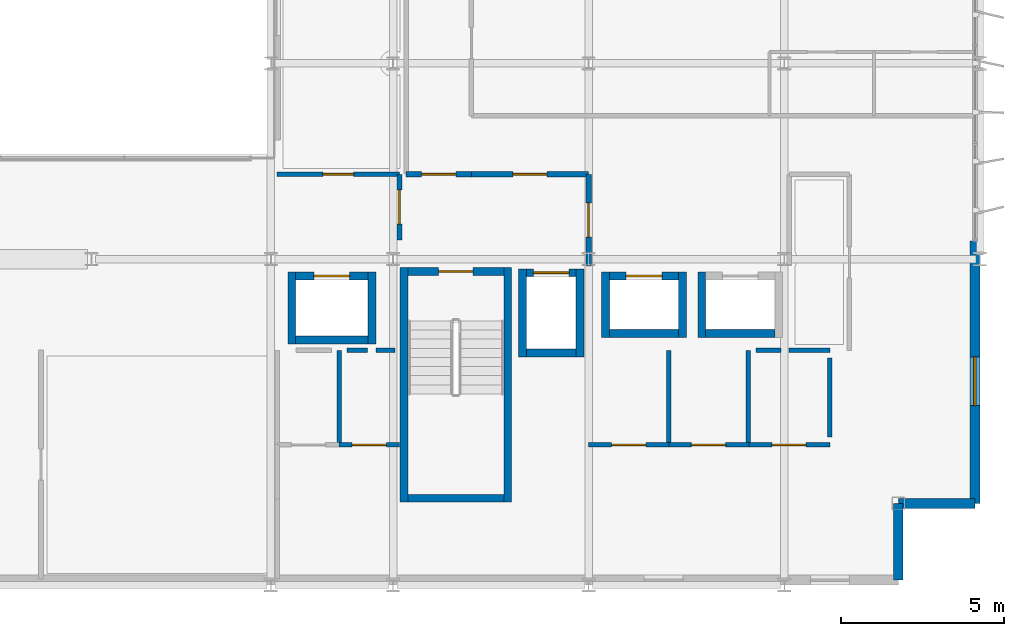
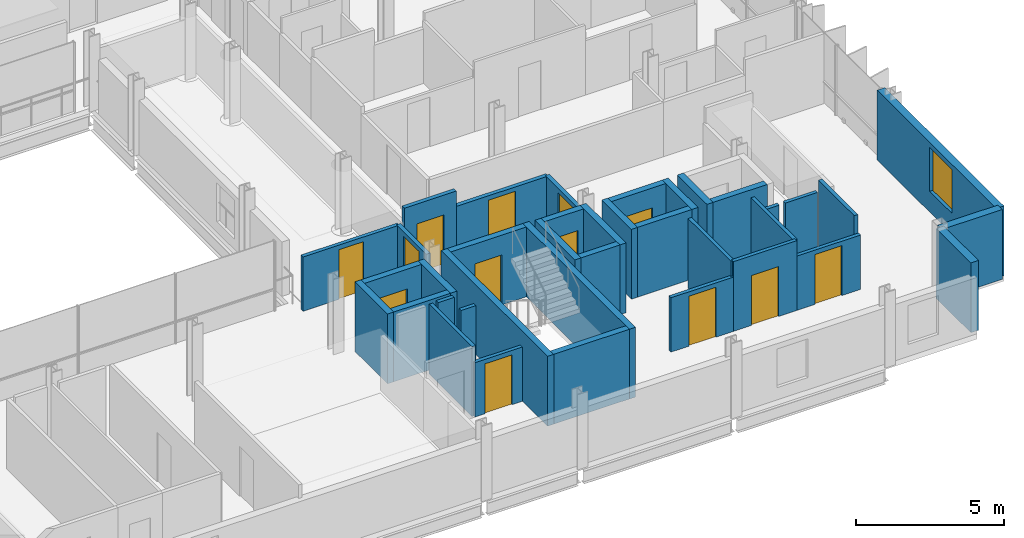
# One storey, part 32 of 40: 38 walls, 13 doors, 1 window, 14 openings.
"""IFC4 building model written with IfcOpenShell, lengths in metres."""

from ifc_helpers import new_model, si_unit, direction, frame, frame_2d, origin, place, context, subcontext, project, spatial, rectangle, extrude, material, layer, layer_set, type_object, element, fill, save


model = new_model("IFC4")

# Units and contexts
model_context = context("Model", 3, precision=1e-05, world=origin(), true_north=direction((0.0, 1.0)))
body_context = subcontext(model_context, "Body", "Model", "MODEL_VIEW")
ifc_project = project(units=[si_unit("LENGTHUNIT", "METRE"), si_unit("AREAUNIT", "SQUARE_METRE"), si_unit("VOLUMEUNIT", "CUBIC_METRE"), si_unit("PLANEANGLEUNIT", "RADIAN"), si_unit("MASSUNIT", "GRAM", prefix="KILO")], contexts=[model_context])

# Site, building, storey
site_placement = place(None, origin())
site = spatial("IfcSite", under=ifc_project, at=site_placement, CompositionType="ELEMENT")
building_placement = place(site_placement, origin())
building = spatial("IfcBuilding", under=site, at=building_placement, Name="Brevholm Reach", CompositionType="ELEMENT")
storey_placement = place(building_placement, frame((0.0, 0.0, 160.39990234375)))
storey = spatial("IfcBuildingStorey", under=building, at=storey_placement, Name="L48", CompositionType="ELEMENT", Elevation=160.39990234375)

# Walls
ifc_material_1 = material(Name="Concrete C45/55", Category="concrete")
ifc_layer_1 = layer(ifc_material_1, 0.239990234375)
ifc_layer_set_1 = layer_set([ifc_layer_1], Name="Concrete C45/55")
wall_type_1 = type_object("IfcWallType", Name="WAL-COR-240", PredefinedType="SHEAR", material=ifc_layer_set_1)
for number, where, z_axis, x_axis, name in (
    (1, (42.330078125, 2.5400390625, 0.0), (0.0, 0.0, 1.0), (0.0, 1.0, 0.0), "L48 Escape Stair ST-2 Core Wall W"),
    (2, (45.52001953125, 2.5400390625, 0.0), (0.0, 0.0, 1.0), (0.0, 1.0, 0.0), "L48 Escape Stair ST-2 Core Wall E"),
):
    element("IfcWall", number, at=place(storey_placement, frame(where, z_axis=z_axis, x_axis=x_axis)), inside=storey, type_object=wall_type_1, Name=name, PredefinedType="SHEAR", context=body_context, shape_type="SweptSolid", body=[
        extrude(rectangle(XDim=7.199951171875, YDim=0.239990234375, at=frame_2d((3.60009765625, 0.0))), origin(), (0.0, 0.0, 1.0), 2.880126953125),
    ])
wall_1_placement = place(storey_placement, frame((42.449951171875, 2.659912109375, 0.0), z_axis=(0.0, 0.0, 1.0), x_axis=(1.0, 0.0, 0.0)))
element("IfcWall", 3, at=wall_1_placement, inside=storey, type_object=wall_type_1, Name="L48 Escape Stair ST-2 Core Wall S", PredefinedType="SHEAR", context=body_context, shape_type="SweptSolid", body=[
    extrude(rectangle(XDim=2.949951171875, YDim=0.239990234375, at=frame_2d((1.47509765625, 0.0))), origin(), (0.0, 0.0, 1.0), 2.880126953125),
])

# Wall, opening, door
wall_2_placement = place(storey_placement, frame((45.39990234375, 9.6201171875, 0.0), z_axis=(0.0, 0.0, 1.0), x_axis=(-1.0, 0.0, 0.0)))
wall_2 = element("IfcWall", 4, at=wall_2_placement, inside=storey, type_object=wall_type_1, Name="L48 Escape Stair ST-2 Core Wall N", PredefinedType="SHEAR", context=body_context, shape_type="SweptSolid", body=[
    extrude(rectangle(XDim=2.949951171875, YDim=0.239990234375, at=frame_2d((1.47509765625, 0.0))), origin(), (0.0, 0.0, 1.0), 2.880126953125),
])
opening_1_placement = place(wall_2_placement, frame((0.949951171875, 0.0, 0.0)))
opening_1 = element("IfcOpeningElement", 5, at=opening_1_placement, cuts=wall_2, Name="Opening SD-ST-2", PredefinedType="OPENING", context=body_context, shape_type="SweptSolid", body=[
    extrude(rectangle(XDim=1.050048828125, YDim=2.06005859375, at=frame_2d((0.52490234375, 1.030029296875))), frame((0.0, 0.1298828125, 0.0), z_axis=(0.0, -1.0, 0.0), x_axis=(1.0, 0.0, 0.0)), (0.0, 0.0, 1.0), 0.260009765625),
])
ifc_material_2 = material(Name="Hardwood-Lipped Steel-Core Fire and Smoke Door", Category="steel")
door_type_1 = type_object("IfcDoorType", Name="DOR-INT-FD60S", OperationType="NOTDEFINED", PredefinedType="DOOR", material=ifc_material_2)
door_1_placement = place(opening_1_placement, origin())
door_1 = element("IfcDoor", 6, at=door_1_placement, inside=storey, type_object=door_type_1, Name="L48 Protected Stair ST-2 Lobby Door", OperationType="SINGLE_SWING_LEFT", OverallHeight=2.06005859375, OverallWidth=1.050048828125, PredefinedType="DOOR", context=body_context, shape_type="SweptSolid", body=[
    extrude(rectangle(XDim=1.050048828125, YDim=2.06005859375, at=frame_2d((0.52490234375, 1.030029296875))), frame((0.0, 0.02490234375, 0.0), z_axis=(0.0, -1.0, 0.0), x_axis=(1.0, 0.0, 0.0)), (0.0, 0.0, 1.0), 0.050048828125),
])
fill(opening_1, door_1)

# Walls
for number, where, z_axis, x_axis, name in (
    (7, (45.969970703125, 7.0, 0.0), (0.0, 0.0, 1.0), (0.0, 1.0, 0.0), "L48 Lift FFL-2 Shaft Wall W"),
    (8, (47.72998046875, 7.0, 0.0), (0.0, 0.0, 1.0), (0.0, 1.0, 0.0), "L48 Lift FFL-2 Shaft Wall E"),
):
    element("IfcWall", number, at=place(storey_placement, frame(where, z_axis=z_axis, x_axis=x_axis)), inside=storey, type_object=wall_type_1, Name=name, PredefinedType="SHEAR", context=body_context, shape_type="SweptSolid", body=[
        extrude(rectangle(XDim=2.699951171875, YDim=0.239990234375, at=frame_2d((1.35009765625, 0.0))), origin(), (0.0, 0.0, 1.0), 2.880126953125),
    ])
wall_3_placement = place(storey_placement, frame((46.090087890625, 7.1201171875, 0.0), z_axis=(0.0, 0.0, 1.0), x_axis=(1.0, 0.0, 0.0)))
element("IfcWall", 9, at=wall_3_placement, inside=storey, type_object=wall_type_1, Name="L48 Lift FFL-2 Shaft Wall S", PredefinedType="SHEAR", context=body_context, shape_type="SweptSolid", body=[
    extrude(rectangle(XDim=1.52001953125, YDim=0.239990234375, at=frame_2d((0.760009765625, 0.0))), origin(), (0.0, 0.0, 1.0), 2.880126953125),
])

# Wall, opening, door
wall_4_placement = place(storey_placement, frame((46.090087890625, 9.580078125, 0.0), z_axis=(0.0, 0.0, 1.0), x_axis=(1.0, 0.0, 0.0)))
wall_4 = element("IfcWall", 10, at=wall_4_placement, inside=storey, type_object=wall_type_1, Name="L48 Lift FFL-2 Shaft Wall N", PredefinedType="SHEAR", context=body_context, shape_type="SweptSolid", body=[
    extrude(rectangle(XDim=1.52001953125, YDim=0.239990234375, at=frame_2d((0.760009765625, 0.0))), origin(), (0.0, 0.0, 1.0), 2.880126953125),
])
opening_2_placement = place(wall_4_placement, frame((0.2099609375, 0.0, 0.0)))
opening_2 = element("IfcOpeningElement", 11, at=opening_2_placement, cuts=wall_4, Name="Opening LD-FFL-2", PredefinedType="OPENING", context=body_context, shape_type="SweptSolid", body=[
    extrude(rectangle(XDim=1.10009765625, YDim=2.06005859375, at=frame_2d((0.550048828125, 1.030029296875))), frame((0.0, 0.1298828125, 0.0), z_axis=(0.0, -1.0, 0.0), x_axis=(1.0, 0.0, 0.0)), (0.0, 0.0, 1.0), 0.260009765625),
])
ifc_material_3 = material(Name="Brushed Stainless Steel Fire-Rated Sliding Lift Door", Category="steel")
door_type_2 = type_object("IfcDoorType", Name="DOR-LFT-1100", OperationType="NOTDEFINED", PredefinedType="DOOR", material=ifc_material_3)
door_2_placement = place(opening_2_placement, origin())
door_2 = element("IfcDoor", 12, at=door_2_placement, inside=storey, type_object=door_type_2, Name="L48 Lift FFL-2 Sliding Landing Door", OperationType="SLIDING_TO_LEFT", OverallHeight=2.06005859375, OverallWidth=1.10009765625, PredefinedType="DOOR", context=body_context, shape_type="SweptSolid", body=[
    extrude(rectangle(XDim=1.10009765625, YDim=2.06005859375, at=frame_2d((0.550048828125, 1.030029296875))), frame((0.0, 0.02490234375, 0.0), z_axis=(0.0, -1.0, 0.0), x_axis=(1.0, 0.0, 0.0)), (0.0, 0.0, 1.0), 0.050048828125),
])
fill(opening_2, door_2)

# Walls
for number, where, z_axis, x_axis, name in (
    (13, (38.889892578125, 7.39990234375, 0.0), (0.0, 0.0, 1.0), (0.0, 1.0, 0.0), "L48 Lift PL-S1 Shaft Wall W"),
    (14, (41.35009765625, 7.39990234375, 0.0), (0.0, 0.0, 1.0), (0.0, 1.0, 0.0), "L48 Lift PL-S1 Shaft Wall E"),
):
    element("IfcWall", number, at=place(storey_placement, frame(where, z_axis=z_axis, x_axis=x_axis)), inside=storey, type_object=wall_type_1, Name=name, PredefinedType="SHEAR", context=body_context, shape_type="SweptSolid", body=[
        extrude(rectangle(XDim=2.2001953125, YDim=0.239990234375, at=frame_2d((1.10009765625, 0.0))), origin(), (0.0, 0.0, 1.0), 2.880126953125),
    ])
wall_5_placement = place(storey_placement, frame((39.010009765625, 7.52001953125, 0.0), z_axis=(0.0, 0.0, 1.0), x_axis=(1.0, 0.0, 0.0)))
element("IfcWall", 15, at=wall_5_placement, inside=storey, type_object=wall_type_1, Name="L48 Lift PL-S1 Shaft Wall S", PredefinedType="SHEAR", context=body_context, shape_type="SweptSolid", body=[
    extrude(rectangle(XDim=2.219970703125, YDim=0.239990234375, at=frame_2d((1.10986328125, 0.0))), origin(), (0.0, 0.0, 1.0), 2.880126953125),
])

# Wall, opening, door
wall_6_placement = place(storey_placement, frame((39.010009765625, 9.47998046875, 0.0), z_axis=(0.0, 0.0, 1.0), x_axis=(1.0, 0.0, 0.0)))
wall_6 = element("IfcWall", 16, at=wall_6_placement, inside=storey, type_object=wall_type_1, Name="L48 Lift PL-S1 Shaft Wall N", PredefinedType="SHEAR", context=body_context, shape_type="SweptSolid", body=[
    extrude(rectangle(XDim=2.219970703125, YDim=0.239990234375, at=frame_2d((1.10986328125, 0.0))), origin(), (0.0, 0.0, 1.0), 2.880126953125),
])
opening_3_placement = place(wall_6_placement, frame((0.56005859375, 0.0, 0.0)))
opening_3 = element("IfcOpeningElement", 17, at=opening_3_placement, cuts=wall_6, Name="Opening LD-PL-S1", PredefinedType="OPENING", context=body_context, shape_type="SweptSolid", body=[
    extrude(rectangle(XDim=1.10009765625, YDim=2.06005859375, at=frame_2d((0.550048828125, 1.030029296875))), frame((0.0, 0.1298828125, 0.0), z_axis=(0.0, -1.0, 0.0), x_axis=(1.0, 0.0, 0.0)), (0.0, 0.0, 1.0), 0.260009765625),
])
door_3_placement = place(opening_3_placement, origin())
door_3 = element("IfcDoor", 18, at=door_3_placement, inside=storey, type_object=door_type_2, Name="L48 Lift PL-S1 Sliding Landing Door", OperationType="SLIDING_TO_RIGHT", OverallHeight=2.06005859375, OverallWidth=1.10009765625, PredefinedType="DOOR", context=body_context, shape_type="SweptSolid", body=[
    extrude(rectangle(XDim=1.10009765625, YDim=2.06005859375, at=frame_2d((0.550048828125, 1.030029296875))), frame((0.0, 0.02490234375, 0.0), z_axis=(0.0, -1.0, 0.0), x_axis=(1.0, 0.0, 0.0)), (0.0, 0.0, 1.0), 0.050048828125),
])
fill(opening_3, door_3)

# Walls
for number, where, z_axis, x_axis, name in (
    (19, (48.52001953125, 7.60009765625, 0.0), (0.0, 0.0, 1.0), (0.0, 1.0, 0.0), "L48 Lift PL-H1 Shaft Wall W"),
    (20, (50.8798828125, 7.60009765625, 0.0), (0.0, 0.0, 1.0), (0.0, 1.0, 0.0), "L48 Lift PL-H1 Shaft Wall E"),
):
    element("IfcWall", number, at=place(storey_placement, frame(where, z_axis=z_axis, x_axis=x_axis)), inside=storey, type_object=wall_type_1, Name=name, PredefinedType="SHEAR", context=body_context, shape_type="SweptSolid", body=[
        extrude(rectangle(XDim=2.0, YDim=0.239990234375, at=frame_2d((1.0, 0.0))), origin(), (0.0, 0.0, 1.0), 2.880126953125),
    ])
wall_7_placement = place(storey_placement, frame((48.639892578125, 7.719970703125, 0.0), z_axis=(0.0, 0.0, 1.0), x_axis=(1.0, 0.0, 0.0)))
element("IfcWall", 21, at=wall_7_placement, inside=storey, type_object=wall_type_1, Name="L48 Lift PL-H1 Shaft Wall S", PredefinedType="SHEAR", context=body_context, shape_type="SweptSolid", body=[
    extrude(rectangle(XDim=2.1201171875, YDim=0.239990234375, at=frame_2d((1.06005859375, 0.0))), origin(), (0.0, 0.0, 1.0), 2.880126953125),
])

# Wall, opening, door
wall_8_placement = place(storey_placement, frame((48.639892578125, 9.47998046875, 0.0), z_axis=(0.0, 0.0, 1.0), x_axis=(1.0, 0.0, 0.0)))
wall_8 = element("IfcWall", 22, at=wall_8_placement, inside=storey, type_object=wall_type_1, Name="L48 Lift PL-H1 Shaft Wall N", PredefinedType="SHEAR", context=body_context, shape_type="SweptSolid", body=[
    extrude(rectangle(XDim=2.1201171875, YDim=0.239990234375, at=frame_2d((1.06005859375, 0.0))), origin(), (0.0, 0.0, 1.0), 2.880126953125),
])
opening_4_placement = place(wall_8_placement, frame((0.510009765625, 0.0, 0.0)))
opening_4 = element("IfcOpeningElement", 23, at=opening_4_placement, cuts=wall_8, Name="Opening LD-PL-H1", PredefinedType="OPENING", context=body_context, shape_type="SweptSolid", body=[
    extrude(rectangle(XDim=1.10009765625, YDim=2.06005859375, at=frame_2d((0.550048828125, 1.030029296875))), frame((0.0, 0.1298828125, 0.0), z_axis=(0.0, -1.0, 0.0), x_axis=(1.0, 0.0, 0.0)), (0.0, 0.0, 1.0), 0.260009765625),
])
door_4_placement = place(opening_4_placement, origin())
door_4 = element("IfcDoor", 24, at=door_4_placement, inside=storey, type_object=door_type_2, Name="L48 Lift PL-H1 Sliding Landing Door", OperationType="SLIDING_TO_LEFT", OverallHeight=2.06005859375, OverallWidth=1.10009765625, PredefinedType="DOOR", context=body_context, shape_type="SweptSolid", body=[
    extrude(rectangle(XDim=1.10009765625, YDim=2.06005859375, at=frame_2d((0.550048828125, 1.030029296875))), frame((0.0, 0.02490234375, 0.0), z_axis=(0.0, -1.0, 0.0), x_axis=(1.0, 0.0, 0.0)), (0.0, 0.0, 1.0), 0.050048828125),
])
fill(opening_4, door_4)

# Walls
wall_9_placement = place(storey_placement, frame((51.469970703125, 7.60009765625, 0.0), z_axis=(0.0, 0.0, 1.0), x_axis=(0.0, 1.0, 0.0)))
element("IfcWall", 25, at=wall_9_placement, inside=storey, type_object=wall_type_1, Name="L48 Lift PL-H2 Shaft Wall W", PredefinedType="SHEAR", context=body_context, shape_type="SweptSolid", body=[
    extrude(rectangle(XDim=2.0, YDim=0.239990234375, at=frame_2d((1.0, 0.0))), origin(), (0.0, 0.0, 1.0), 2.880126953125),
])
wall_10_placement = place(storey_placement, frame((51.590087890625, 7.719970703125, 0.0), z_axis=(0.0, 0.0, 1.0), x_axis=(1.0, 0.0, 0.0)))
element("IfcWall", 26, at=wall_10_placement, inside=storey, type_object=wall_type_1, Name="L48 Lift PL-H2 Shaft Wall S", PredefinedType="SHEAR", context=body_context, shape_type="SweptSolid", body=[
    extrude(rectangle(XDim=2.119873046875, YDim=0.239990234375, at=frame_2d((1.06005859375, 0.0))), origin(), (0.0, 0.0, 1.0), 2.880126953125),
])
ifc_material_4 = material(Name="Concrete C40/50", Category="concrete")
ifc_layer_2 = layer(ifc_material_4, 0.300048828125)
ifc_layer_set_2 = layer_set([ifc_layer_2], Name="Concrete C40/50")
wall_type_2 = type_object("IfcWallType", Name="WAL-EXT-300", PredefinedType="STANDARD", material=ifc_layer_set_2)
for number, where, z_axis, x_axis, name in (
    (27, (57.5, 0.14990234375, 0.0), (0.0, 0.0, 1.0), (0.0, 1.0, 0.0), "L48 Facade Wall WAL-L48-CSE1"),
    (28, (57.5, 2.5, 0.0), (0.0, 0.0, 1.0), (1.0, 0.0, 0.0), "L48 Facade Wall WAL-L48-CSE2"),
):
    element("IfcWall", number, at=place(storey_placement, frame(where, z_axis=z_axis, x_axis=x_axis)), inside=storey, type_object=wall_type_2, Name=name, PredefinedType="STANDARD", context=body_context, shape_type="SweptSolid", body=[
        extrude(rectangle(XDim=2.35009765625, YDim=0.300048828125, at=frame_2d((1.175048828125, 0.0))), origin(), (0.0, 0.0, 1.0), 2.880126953125),
    ])

# Wall, opening, window
wall_11_placement = place(storey_placement, frame((59.85009765625, 2.5, 0.0), z_axis=(0.0, 0.0, 1.0), x_axis=(0.0, 1.0, 0.0)))
wall_11 = element("IfcWall", 29, at=wall_11_placement, inside=storey, type_object=wall_type_2, Name="L48 Facade Wall WAL-L48-E-S", PredefinedType="STANDARD", context=body_context, shape_type="SweptSolid", body=[
    extrude(rectangle(XDim=8.050048828125, YDim=0.300048828125, at=frame_2d((4.02490234375, 0.0))), origin(), (0.0, 0.0, 1.0), 2.880126953125),
])
opening_5_placement = place(wall_11_placement, frame((3.0, 0.0, 0.860107421875)))
opening_5 = element("IfcOpeningElement", 30, at=opening_5_placement, cuts=wall_11, Name="Opening WN-05", PredefinedType="OPENING", context=body_context, shape_type="SweptSolid", body=[
    extrude(rectangle(XDim=1.5, YDim=1.800048828125, at=frame_2d((0.75, 0.89990234375))), frame((0.0, 0.159912109375, 0.0), z_axis=(0.0, -1.0, 0.0), x_axis=(1.0, 0.0, 0.0)), (0.0, 0.0, 1.0), 0.320068359375),
])
ifc_material_5 = material(Name="Dark Anodised Aluminium and Solar-Control IGU Glass", Category="aluminium")
window_type = type_object("IfcWindowType", Name="WIN-RES-1500", PartitioningType="SINGLE_PANEL", PredefinedType="WINDOW", material=ifc_material_5)
window_placement = place(opening_5_placement, origin())
window = element("IfcWindow", 31, at=window_placement, inside=storey, type_object=window_type, Name="L48 Window WIN-L48-ES-1", OverallHeight=1.800048828125, OverallWidth=1.5, PartitioningType="SINGLE_PANEL", PredefinedType="WINDOW", context=body_context, shape_type="SweptSolid", body=[
    extrude(rectangle(XDim=1.5, YDim=1.800048828125, at=frame_2d((0.75, 0.89990234375))), frame((0.0, 0.030029296875, 0.0), z_axis=(0.0, -1.0, 0.0), x_axis=(1.0, 0.0, 0.0)), (0.0, 0.0, 1.0), 0.06005859375),
])
fill(opening_5, window)

# Wall, opening, door
ifc_material_6 = material(Name="Twin-Stud Acoustic Fire-Rated Gypsum Partition 140 mm", Category="gypsum")
ifc_layer_3 = layer(ifc_material_6, 0.139892578125)
ifc_layer_set_3 = layer_set([ifc_layer_3], Name="Twin-Stud Acoustic Fire-Rated Gypsum Partition 140 mm")
wall_type_3 = type_object("IfcWallType", Name="WAL-PRT-140", PredefinedType="PARTITIONING", material=ifc_layer_set_3)
wall_12_placement = place(storey_placement, frame((40.3427734375, 4.300048828125, 0.0), z_axis=(0.0, 0.0, 1.0), x_axis=(1.0, 0.0, 0.0)))
wall_12 = element("IfcWall", 32, at=wall_12_placement, inside=storey, type_object=wall_type_3, Name="L48 Internal Partition 019", PredefinedType="PARTITIONING", context=body_context, shape_type="SweptSolid", body=[
    extrude(rectangle(XDim=1.857177734375, YDim=0.139892578125, at=frame_2d((0.9287109375, 0.0))), origin(), (0.0, 0.0, 1.0), 2.242919921875),
])
opening_6_placement = place(wall_12_placement, frame((0.40380859375, 0.0, 0.0)))
opening_6 = element("IfcOpeningElement", 33, at=opening_6_placement, cuts=wall_12, Name="Opening FD-01", PredefinedType="OPENING", context=body_context, shape_type="SweptSolid", body=[
    extrude(rectangle(XDim=1.050048828125, YDim=2.06005859375, at=frame_2d((0.52490234375, 1.030029296875))), frame((0.0, 0.079833984375, 0.0), z_axis=(0.0, -1.0, 0.0), x_axis=(1.0, 0.0, 0.0)), (0.0, 0.0, 1.0), 0.159912109375),
])
door_5_placement = place(opening_6_placement, origin())
door_5 = element("IfcDoor", 34, at=door_5_placement, inside=storey, type_object=door_type_1, Name="L48 Internal Door 009", OperationType="SINGLE_SWING_RIGHT", OverallHeight=2.06005859375, OverallWidth=1.050048828125, PredefinedType="DOOR", context=body_context, shape_type="SweptSolid", body=[
    extrude(rectangle(XDim=1.050048828125, YDim=2.06005859375, at=frame_2d((0.52490234375, 1.030029296875))), frame((0.0, 0.02490234375, 0.0), z_axis=(0.0, -1.0, 0.0), x_axis=(1.0, 0.0, 0.0)), (0.0, 0.0, 1.0), 0.050048828125),
])
fill(opening_6, door_5)

# Wall
wall_13_placement = place(storey_placement, frame((40.35009765625, 4.303955078125, 0.0), z_axis=(0.0, 0.0, 1.0), x_axis=(0.0, 1.0, 0.0)))
element("IfcWall", 35, at=wall_13_placement, inside=storey, type_object=wall_type_3, Name="L48 Internal Partition 020", PredefinedType="PARTITIONING", context=body_context, shape_type="SweptSolid", body=[
    extrude(rectangle(XDim=2.89599609375, YDim=0.139892578125, at=frame_2d((1.447998046875, 0.0))), origin(), (0.0, 0.0, 1.0), 2.880126953125),
])

# Wall, opening, door
wall_14_placement = place(storey_placement, frame((48.0, 4.300048828125, 0.0), z_axis=(0.0, 0.0, 1.0), x_axis=(1.0, 0.0, 0.0)))
wall_14 = element("IfcWall", 36, at=wall_14_placement, inside=storey, type_object=wall_type_3, Name="L48 Internal Partition 021", PredefinedType="PARTITIONING", context=body_context, shape_type="SweptSolid", body=[
    extrude(rectangle(XDim=2.461181640625, YDim=0.139892578125, at=frame_2d((1.23046875, 0.0))), origin(), (0.0, 0.0, 1.0), 2.242919921875),
])
opening_7_placement = place(wall_14_placement, frame((0.705810546875, 0.0, 0.0)))
opening_7 = element("IfcOpeningElement", 37, at=opening_7_placement, cuts=wall_14, Name="Opening FD-01", PredefinedType="OPENING", context=body_context, shape_type="SweptSolid", body=[
    extrude(rectangle(XDim=1.050048828125, YDim=2.06005859375, at=frame_2d((0.52490234375, 1.030029296875))), frame((0.0, 0.079833984375, 0.0), z_axis=(0.0, -1.0, 0.0), x_axis=(1.0, 0.0, 0.0)), (0.0, 0.0, 1.0), 0.159912109375),
])
door_6_placement = place(opening_7_placement, origin())
door_6 = element("IfcDoor", 38, at=door_6_placement, inside=storey, type_object=door_type_1, Name="L48 Internal Door 010", OperationType="SINGLE_SWING_LEFT", OverallHeight=2.06005859375, OverallWidth=1.050048828125, PredefinedType="DOOR", context=body_context, shape_type="SweptSolid", body=[
    extrude(rectangle(XDim=1.050048828125, YDim=2.06005859375, at=frame_2d((0.52490234375, 1.030029296875))), frame((0.0, 0.02490234375, 0.0), z_axis=(0.0, -1.0, 0.0), x_axis=(1.0, 0.0, 0.0)), (0.0, 0.0, 1.0), 0.050048828125),
])
fill(opening_7, door_6)

wall_15_placement = place(storey_placement, frame((50.442626953125, 4.300048828125, 0.0), z_axis=(0.0, 0.0, 1.0), x_axis=(1.0, 0.0, 0.0)))
wall_15 = element("IfcWall", 39, at=wall_15_placement, inside=storey, type_object=wall_type_3, Name="L48 Internal Partition 022", PredefinedType="PARTITIONING", context=body_context, shape_type="SweptSolid", body=[
    extrude(rectangle(XDim=2.46875, YDim=0.139892578125, at=frame_2d((1.234375, 0.0))), origin(), (0.0, 0.0, 1.0), 2.880126953125),
])
opening_8_placement = place(wall_15_placement, frame((0.709228515625, 0.0, 0.0)))
opening_8 = element("IfcOpeningElement", 40, at=opening_8_placement, cuts=wall_15, Name="Opening FD-01", PredefinedType="OPENING", context=body_context, shape_type="SweptSolid", body=[
    extrude(rectangle(XDim=1.050048828125, YDim=2.06005859375, at=frame_2d((0.52490234375, 1.030029296875))), frame((0.0, 0.079833984375, 0.0), z_axis=(0.0, -1.0, 0.0), x_axis=(1.0, 0.0, 0.0)), (0.0, 0.0, 1.0), 0.159912109375),
])
door_7_placement = place(opening_8_placement, origin())
door_7 = element("IfcDoor", 41, at=door_7_placement, inside=storey, type_object=door_type_1, Name="L48 Internal Door 011", OperationType="SINGLE_SWING_RIGHT", OverallHeight=2.06005859375, OverallWidth=1.050048828125, PredefinedType="DOOR", context=body_context, shape_type="SweptSolid", body=[
    extrude(rectangle(XDim=1.050048828125, YDim=2.06005859375, at=frame_2d((0.52490234375, 1.030029296875))), frame((0.0, 0.02490234375, 0.0), z_axis=(0.0, -1.0, 0.0), x_axis=(1.0, 0.0, 0.0)), (0.0, 0.0, 1.0), 0.050048828125),
])
fill(opening_8, door_7)

wall_16_placement = place(storey_placement, frame((52.892578125, 4.300048828125, 0.0), z_axis=(0.0, 0.0, 1.0), x_axis=(1.0, 0.0, 0.0)))
wall_16 = element("IfcWall", 42, at=wall_16_placement, inside=storey, type_object=wall_type_3, Name="L48 Internal Partition 023", PredefinedType="PARTITIONING", context=body_context, shape_type="SweptSolid", body=[
    extrude(rectangle(XDim=2.50732421875, YDim=0.139892578125, at=frame_2d((1.253662109375, 0.0))), origin(), (0.0, 0.0, 1.0), 2.242919921875),
])
opening_9_placement = place(wall_16_placement, frame((0.728759765625, 0.0, 0.0)))
opening_9 = element("IfcOpeningElement", 43, at=opening_9_placement, cuts=wall_16, Name="Opening FD-01", PredefinedType="OPENING", context=body_context, shape_type="SweptSolid", body=[
    extrude(rectangle(XDim=1.050048828125, YDim=2.06005859375, at=frame_2d((0.52490234375, 1.030029296875))), frame((0.0, 0.079833984375, 0.0), z_axis=(0.0, -1.0, 0.0), x_axis=(1.0, 0.0, 0.0)), (0.0, 0.0, 1.0), 0.159912109375),
])
door_8_placement = place(opening_9_placement, origin())
door_8 = element("IfcDoor", 44, at=door_8_placement, inside=storey, type_object=door_type_1, Name="L48 Internal Door 012", OperationType="SINGLE_SWING_LEFT", OverallHeight=2.06005859375, OverallWidth=1.050048828125, PredefinedType="DOOR", context=body_context, shape_type="SweptSolid", body=[
    extrude(rectangle(XDim=1.050048828125, YDim=2.06005859375, at=frame_2d((0.52490234375, 1.030029296875))), frame((0.0, 0.02490234375, 0.0), z_axis=(0.0, -1.0, 0.0), x_axis=(1.0, 0.0, 0.0)), (0.0, 0.0, 1.0), 0.050048828125),
])
fill(opening_9, door_8)

# Walls
for number, where, z_axis, x_axis, name in (
    (45, (50.449951171875, 4.303955078125, 0.0), (0.0, 0.0, 1.0), (0.0, 1.0, 0.0), "L48 Internal Partition 024"),
    (46, (52.89990234375, 4.303955078125, 0.0), (0.0, 0.0, 1.0), (0.0, 1.0, 0.0), "L48 Internal Partition 025"),
):
    element("IfcWall", number, at=place(storey_placement, frame(where, z_axis=z_axis, x_axis=x_axis)), inside=storey, type_object=wall_type_3, Name=name, PredefinedType="PARTITIONING", context=body_context, shape_type="SweptSolid", body=[
        extrude(rectangle(XDim=2.89599609375, YDim=0.139892578125, at=frame_2d((1.447998046875, 0.0))), origin(), (0.0, 0.0, 1.0), 2.880126953125),
    ])
wall_17_placement = place(storey_placement, frame((54.138671875, 7.199951171875, 0.0), z_axis=(0.0, 0.0, 1.0), x_axis=(1.0, 0.0, 0.0)))
element("IfcWall", 47, at=wall_17_placement, inside=storey, type_object=wall_type_3, Name="L48 Internal Partition 026", PredefinedType="PARTITIONING", context=body_context, shape_type="SweptSolid", body=[
    extrude(rectangle(XDim=1.26123046875, YDim=0.139892578125, at=frame_2d((0.630615234375, 0.0))), origin(), (0.0, 0.0, 1.0), 2.242919921875),
])

# Wall, opening, door
wall_18_placement = place(storey_placement, frame((38.438720703125, 12.60009765625, 0.0), z_axis=(0.0, 0.0, 1.0), x_axis=(1.0, 0.0, 0.0)))
wall_18 = element("IfcWall", 48, at=wall_18_placement, inside=storey, type_object=wall_type_3, Name="L48 Internal Partition 040", PredefinedType="PARTITIONING", context=body_context, shape_type="SweptSolid", body=[
    extrude(rectangle(XDim=3.75732421875, YDim=0.139892578125, at=frame_2d((1.878662109375, 0.0))), origin(), (0.0, 0.0, 1.0), 2.242919921875),
])
opening_10_placement = place(wall_18_placement, frame((1.40380859375, 0.0, 0.0)))
opening_10 = element("IfcOpeningElement", 49, at=opening_10_placement, cuts=wall_18, Name="Opening ID-30", PredefinedType="OPENING", context=body_context, shape_type="SweptSolid", body=[
    extrude(rectangle(XDim=0.949951171875, YDim=2.050048828125, at=frame_2d((0.47509765625, 1.02490234375))), frame((0.0, 0.079833984375, 0.0), z_axis=(0.0, -1.0, 0.0), x_axis=(1.0, 0.0, 0.0)), (0.0, 0.0, 1.0), 0.159912109375),
])
ifc_material_7 = material(Name="European Oak Veneered Solid-Core Fire Entrance Door", Category="timber")
door_type_3 = type_object("IfcDoorType", Name="DOR-FLT-FD30S", OperationType="NOTDEFINED", PredefinedType="DOOR", material=ifc_material_7)
door_9_placement = place(opening_10_placement, origin())
door_9 = element("IfcDoor", 50, at=door_9_placement, inside=storey, type_object=door_type_3, Name="L48 Internal Door 020", OperationType="SINGLE_SWING_LEFT", OverallHeight=2.050048828125, OverallWidth=0.949951171875, PredefinedType="DOOR", context=body_context, shape_type="SweptSolid", body=[
    extrude(rectangle(XDim=0.949951171875, YDim=2.050048828125, at=frame_2d((0.47509765625, 1.02490234375))), frame((0.0, 0.02490234375, 0.0), z_axis=(0.0, -1.0, 0.0), x_axis=(1.0, 0.0, 0.0)), (0.0, 0.0, 1.0), 0.050048828125),
])
fill(opening_10, door_9)

# Walls
wall_19_placement = place(storey_placement, frame((41.482666015625, 7.199951171875, 0.0), z_axis=(0.0, 0.0, 1.0), x_axis=(1.0, 0.0, 0.0)))
element("IfcWall", 51, at=wall_19_placement, inside=storey, type_object=wall_type_3, Name="L48 Internal Partition 135", PredefinedType="PARTITIONING", context=body_context, shape_type="SweptSolid", body=[
    extrude(rectangle(XDim=0.577392578125, YDim=0.139892578125, at=frame_2d((0.28857421875, 0.0))), origin(), (0.0, 0.0, 1.0), 2.242919921875),
])
wall_20_placement = place(storey_placement, frame((40.590087890625, 7.199951171875, 0.0), z_axis=(0.0, 0.0, 1.0), x_axis=(1.0, 0.0, 0.0)))
element("IfcWall", 52, at=wall_20_placement, inside=storey, type_object=wall_type_3, Name="L48 Internal Partition 136", PredefinedType="PARTITIONING", context=body_context, shape_type="SweptSolid", body=[
    extrude(rectangle(XDim=0.627197265625, YDim=0.139892578125, at=frame_2d((0.3134765625, 0.0))), origin(), (0.0, 0.0, 1.0), 2.880126953125),
])
wall_21_placement = place(storey_placement, frame((55.39990234375, 4.5400390625, 0.0), z_axis=(0.0, 0.0, 1.0), x_axis=(0.0, 1.0, 0.0)))
element("IfcWall", 53, at=wall_21_placement, inside=storey, type_object=wall_type_3, Name="L48 Internal Partition 137", PredefinedType="PARTITIONING", context=body_context, shape_type="SweptSolid", body=[
    extrude(rectangle(XDim=2.419921875, YDim=0.139892578125, at=frame_2d((1.2099609375, 0.0))), origin(), (0.0, 0.0, 1.0), 2.880126953125),
])
wall_22_placement = place(storey_placement, frame((53.139892578125, 7.199951171875, 0.0), z_axis=(0.0, 0.0, 1.0), x_axis=(1.0, 0.0, 0.0)))
element("IfcWall", 54, at=wall_22_placement, inside=storey, type_object=wall_type_3, Name="L48 Internal Partition 138", PredefinedType="PARTITIONING", context=body_context, shape_type="SweptSolid", body=[
    extrude(rectangle(XDim=0.7587890625, YDim=0.139892578125, at=frame_2d((0.37939453125, 0.0))), origin(), (0.0, 0.0, 1.0), 2.242919921875),
])

# Wall, opening, door
ifc_material_8 = material(Name="Twin-Frame Fire-Rated Gypsum Board and Mineral Wool 160 mm", Category="gypsum")
ifc_layer_4 = layer(ifc_material_8, 0.159912109375)
ifc_layer_set_4 = layer_set([ifc_layer_4], Name="Twin-Frame Fire-Rated Gypsum Board and Mineral Wool 160 mm")
wall_type_4 = type_object("IfcWallType", Name="WAL-PRT-160", PredefinedType="PARTITIONING", material=ifc_layer_set_4)
wall_23_placement = place(storey_placement, frame((48.0, 9.788818359375, 0.0), z_axis=(0.0, 0.0, 1.0), x_axis=(0.0, 1.0, 0.0)))
wall_23 = element("IfcWall", 55, at=wall_23_placement, inside=storey, type_object=wall_type_4, Name="L48 Internal Partition 034", PredefinedType="PARTITIONING", context=body_context, shape_type="SweptSolid", body=[
    extrude(rectangle(XDim=2.811279296875, YDim=0.159912109375, at=frame_2d((1.40576171875, 0.0))), origin(), (0.0, 0.0, 1.0), 2.242919921875),
])
opening_11_placement = place(wall_23_placement, frame((0.880615234375, 0.0, 0.0)))
opening_11 = element("IfcOpeningElement", 56, at=opening_11_placement, cuts=wall_23, Name="Opening FD-01", PredefinedType="OPENING", context=body_context, shape_type="SweptSolid", body=[
    extrude(rectangle(XDim=1.050048828125, YDim=2.06005859375, at=frame_2d((0.52490234375, 1.030029296875))), frame((0.0, 0.08984375, 0.0), z_axis=(0.0, -1.0, 0.0), x_axis=(1.0, 0.0, 0.0)), (0.0, 0.0, 1.0), 0.179931640625),
])
door_10_placement = place(opening_11_placement, origin())
door_10 = element("IfcDoor", 57, at=door_10_placement, inside=storey, type_object=door_type_1, Name="L48 Internal Door 016", OperationType="SINGLE_SWING_LEFT", OverallHeight=2.06005859375, OverallWidth=1.050048828125, PredefinedType="DOOR", context=body_context, shape_type="SweptSolid", body=[
    extrude(rectangle(XDim=1.050048828125, YDim=2.06005859375, at=frame_2d((0.52490234375, 1.030029296875))), frame((0.0, 0.02490234375, 0.0), z_axis=(0.0, -1.0, 0.0), x_axis=(1.0, 0.0, 0.0)), (0.0, 0.0, 1.0), 0.050048828125),
])
fill(opening_11, door_10)

wall_24_placement = place(storey_placement, frame((42.199951171875, 10.588623046875, 0.0), z_axis=(0.0, 0.0, 1.0), x_axis=(0.0, 1.0, 0.0)))
wall_24 = element("IfcWall", 58, at=wall_24_placement, inside=storey, type_object=wall_type_4, Name="L48 Internal Partition 035", PredefinedType="PARTITIONING", context=body_context, shape_type="SweptSolid", body=[
    extrude(rectangle(XDim=2.011474609375, YDim=0.159912109375, at=frame_2d((1.005859375, 0.0))), origin(), (0.0, 0.0, 1.0), 2.242919921875),
])
opening_12_placement = place(wall_24_placement, frame((0.480712890625, 0.0, 0.0)))
opening_12 = element("IfcOpeningElement", 59, at=opening_12_placement, cuts=wall_24, Name="Opening FD-01", PredefinedType="OPENING", context=body_context, shape_type="SweptSolid", body=[
    extrude(rectangle(XDim=1.050048828125, YDim=2.06005859375, at=frame_2d((0.52490234375, 1.030029296875))), frame((0.0, 0.08984375, 0.0), z_axis=(0.0, -1.0, 0.0), x_axis=(1.0, 0.0, 0.0)), (0.0, 0.0, 1.0), 0.179931640625),
])
door_11_placement = place(opening_12_placement, origin())
door_11 = element("IfcDoor", 60, at=door_11_placement, inside=storey, type_object=door_type_1, Name="L48 Internal Door 017", OperationType="SINGLE_SWING_RIGHT", OverallHeight=2.06005859375, OverallWidth=1.050048828125, PredefinedType="DOOR", context=body_context, shape_type="SweptSolid", body=[
    extrude(rectangle(XDim=1.050048828125, YDim=2.06005859375, at=frame_2d((0.52490234375, 1.030029296875))), frame((0.0, 0.02490234375, 0.0), z_axis=(0.0, -1.0, 0.0), x_axis=(1.0, 0.0, 0.0)), (0.0, 0.0, 1.0), 0.050048828125),
])
fill(opening_12, door_11)

wall_25_placement = place(storey_placement, frame((42.388671875, 12.60009765625, 0.0), z_axis=(0.0, 0.0, 1.0), x_axis=(1.0, 0.0, 0.0)))
wall_25 = element("IfcWall", 61, at=wall_25_placement, inside=storey, type_object=wall_type_4, Name="L48 Internal Partition 036", PredefinedType="PARTITIONING", context=body_context, shape_type="SweptSolid", body=[
    extrude(rectangle(XDim=2.022705078125, YDim=0.159912109375, at=frame_2d((1.01123046875, 0.0))), origin(), (0.0, 0.0, 1.0), 2.880126953125),
])
opening_13_placement = place(wall_25_placement, frame((0.486328125, 0.0, 0.0)))
opening_13 = element("IfcOpeningElement", 62, at=opening_13_placement, cuts=wall_25, Name="Opening FD-01", PredefinedType="OPENING", context=body_context, shape_type="SweptSolid", body=[
    extrude(rectangle(XDim=1.050048828125, YDim=2.06005859375, at=frame_2d((0.52490234375, 1.030029296875))), frame((0.0, 0.08984375, 0.0), z_axis=(0.0, -1.0, 0.0), x_axis=(1.0, 0.0, 0.0)), (0.0, 0.0, 1.0), 0.179931640625),
])
door_12_placement = place(opening_13_placement, origin())
door_12 = element("IfcDoor", 63, at=door_12_placement, inside=storey, type_object=door_type_1, Name="L48 Internal Door 018", OperationType="SINGLE_SWING_LEFT", OverallHeight=2.06005859375, OverallWidth=1.050048828125, PredefinedType="DOOR", context=body_context, shape_type="SweptSolid", body=[
    extrude(rectangle(XDim=1.050048828125, YDim=2.06005859375, at=frame_2d((0.52490234375, 1.030029296875))), frame((0.0, 0.02490234375, 0.0), z_axis=(0.0, -1.0, 0.0), x_axis=(1.0, 0.0, 0.0)), (0.0, 0.0, 1.0), 0.050048828125),
])
fill(opening_13, door_12)

wall_26_placement = place(storey_placement, frame((44.392578125, 12.60009765625, 0.0), z_axis=(0.0, 0.0, 1.0), x_axis=(1.0, 0.0, 0.0)))
wall_26 = element("IfcWall", 64, at=wall_26_placement, inside=storey, type_object=wall_type_4, Name="L48 Internal Partition 037", PredefinedType="PARTITIONING", context=body_context, shape_type="SweptSolid", body=[
    extrude(rectangle(XDim=3.607421875, YDim=0.159912109375, at=frame_2d((1.8037109375, 0.0))), origin(), (0.0, 0.0, 1.0), 2.242919921875),
])
opening_14_placement = place(wall_26_placement, frame((1.27880859375, 0.0, 0.0)))
opening_14 = element("IfcOpeningElement", 65, at=opening_14_placement, cuts=wall_26, Name="Opening FD-01", PredefinedType="OPENING", context=body_context, shape_type="SweptSolid", body=[
    extrude(rectangle(XDim=1.050048828125, YDim=2.06005859375, at=frame_2d((0.52490234375, 1.030029296875))), frame((0.0, 0.08984375, 0.0), z_axis=(0.0, -1.0, 0.0), x_axis=(1.0, 0.0, 0.0)), (0.0, 0.0, 1.0), 0.179931640625),
])
door_13_placement = place(opening_14_placement, origin())
door_13 = element("IfcDoor", 66, at=door_13_placement, inside=storey, type_object=door_type_1, Name="L48 Internal Door 019", OperationType="SINGLE_SWING_RIGHT", OverallHeight=2.06005859375, OverallWidth=1.050048828125, PredefinedType="DOOR", context=body_context, shape_type="SweptSolid", body=[
    extrude(rectangle(XDim=1.050048828125, YDim=2.06005859375, at=frame_2d((0.52490234375, 1.030029296875))), frame((0.0, 0.02490234375, 0.0), z_axis=(0.0, -1.0, 0.0), x_axis=(1.0, 0.0, 0.0)), (0.0, 0.0, 1.0), 0.050048828125),
])
fill(opening_14, door_13)

save(model, "model.ifc")
